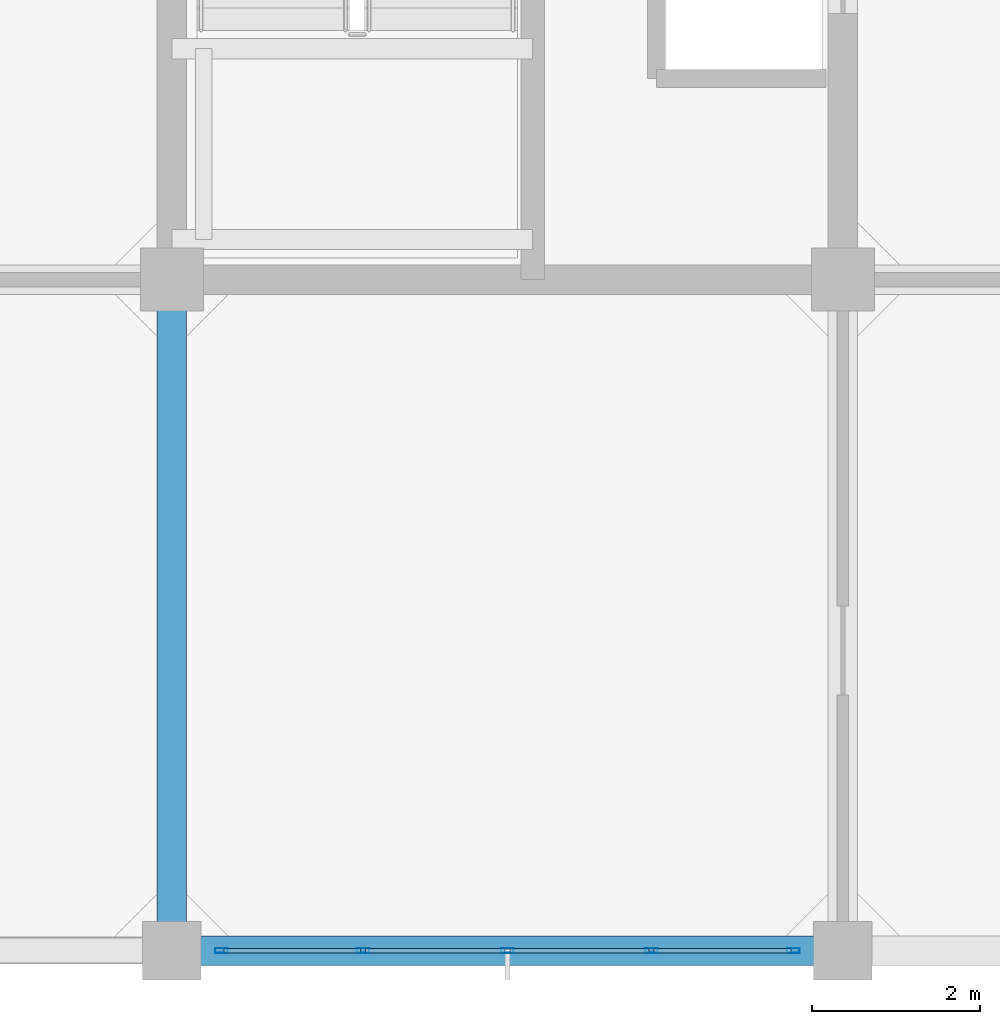
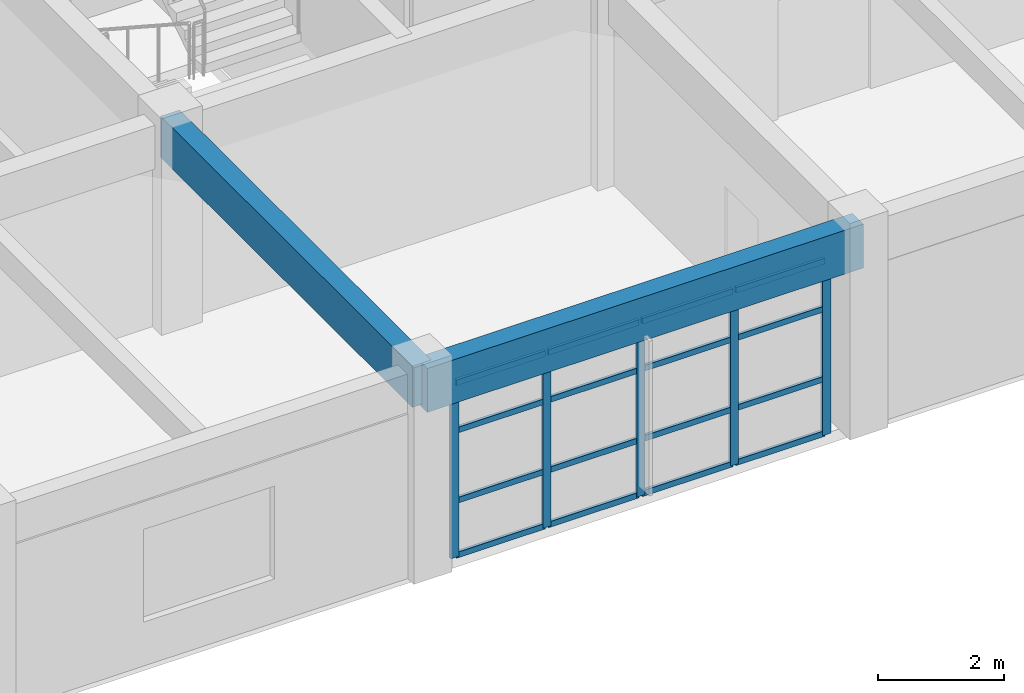
# One storey, part 6 of 27: 21 members, 2 beams, 1 element without a shape of its own.
"""IFC4 building model written with IfcOpenShell, lengths in metres."""

import ifcopenshell
import ifcopenshell.guid

model = None  # the IFC model being written
_history = None  # IfcOwnerHistory: only IFC2X3 demands one
_inside = {}  # id of a spatial element -> (the spatial element, [elements in it])
_under = {}  # id of a project, library or spatial element -> (it, [spatial elements below it])
_declared = {}  # id of a project -> (the project, [libraries it declares])
_typed = {}  # id of a type object -> (the type object, [elements of that type])
_made_of = {}  # id of a material, layer set ... -> (it, [elements and type objects made of it])


def new_model(schema):
    """Start an empty IFC model of exactly this schema.

    Asked for "IFC4X3", IfcOpenShell would pick the latest addendum, in which some entities
    have other attributes; the version numbers below select the first issue.
    IFC2X3 requires an IfcOwnerHistory on every rooted entity: one is made here for all.
    """
    global model, _history
    if schema == "IFC4X3":
        model = ifcopenshell.file(schema_version=(4, 3, 0, 0))
    else:
        model = ifcopenshell.file(schema=schema)
    _inside.clear()
    _under.clear()
    _declared.clear()
    _typed.clear()
    _made_of.clear()
    _history = None
    if model.schema == "IFC2X3":
        org = make("IfcOrganization", Name="unknown")
        user = make(
            "IfcPersonAndOrganization",
            ThePerson=make("IfcPerson", FamilyName="unknown"),
            TheOrganization=org,
        )
        app = make(
            "IfcApplication",
            ApplicationDeveloper=org,
            Version="unknown",
            ApplicationFullName="unknown",
            ApplicationIdentifier="unknown",
        )
        _history = make(
            "IfcOwnerHistory",
            OwningUser=user,
            OwningApplication=app,
            ChangeAction="ADDED",
            CreationDate=0,
        )
    return model


def make(cls, **values):
    """One entity of the class cls with the attributes given. An attribute that is None is left unset."""
    return model.create_entity(
        cls, **{name: value for name, value in values.items() if value is not None}
    )


def rooted(cls, **values):
    """An entity with a GlobalId (a new one), such as an element, a storey or a relation."""
    return make(cls, GlobalId=ifcopenshell.guid.new(), OwnerHistory=_history, **values)


def si_unit(unit_type, name, prefix=None):
    """IfcSIUnit, for example si_unit("LENGTHUNIT", "METRE", prefix="MILLI")."""
    return make("IfcSIUnit", UnitType=unit_type, Prefix=prefix, Name=name)


def assignment(units):
    """IfcUnitAssignment: the units of a project."""
    return None if units is None else make("IfcUnitAssignment", Units=units)


def point(xyz):
    """IfcCartesianPoint."""
    return None if xyz is None else make("IfcCartesianPoint", Coordinates=xyz)


def direction(xyz):
    """IfcDirection."""
    return None if xyz is None else make("IfcDirection", DirectionRatios=xyz)


def frame(location, z_axis=None, x_axis=None):
    """IfcAxis2Placement3D, a coordinate frame: its origin and axes. An axis left out is left unset."""
    return make(
        "IfcAxis2Placement3D",
        Location=point(location),
        Axis=direction(z_axis),
        RefDirection=direction(x_axis),
    )


def frame_2d(location, x_axis=None):
    """IfcAxis2Placement2D, a coordinate frame in the plane: its origin and x axis."""
    return make(
        "IfcAxis2Placement2D", Location=point(location), RefDirection=direction(x_axis)
    )


def origin():
    """The frame at (0, 0, 0) with its axes left unset."""
    return frame((0.0, 0.0, 0.0))


def origin_2d():
    """The frame at (0, 0) in the plane with its x axis left unset."""
    return frame_2d((0.0, 0.0))


def place(relative_to, where):
    """IfcLocalPlacement: puts the frame where relative to a parent placement (None: the world)."""
    return make(
        "IfcLocalPlacement", PlacementRelTo=relative_to, RelativePlacement=where
    )


def context(
    kind, dimensions, precision=None, world=None, true_north=None, identifier=None
):
    """IfcGeometricRepresentationContext, for example the 3D "Model" context."""
    return make(
        "IfcGeometricRepresentationContext",
        ContextIdentifier=identifier,
        ContextType=kind,
        CoordinateSpaceDimension=dimensions,
        Precision=precision,
        WorldCoordinateSystem=world,
        TrueNorth=true_north,
    )


def subcontext(parent, identifier, kind, view, scale=None):
    """IfcGeometricRepresentationSubContext, for example "Body" below "Model"."""
    return make(
        "IfcGeometricRepresentationSubContext",
        ContextIdentifier=identifier,
        ContextType=kind,
        ParentContext=parent,
        TargetScale=scale,
        TargetView=view,
    )


def project(units=None, contexts=None):
    """IfcProject with its units and contexts."""
    return rooted(
        "IfcProject",
        Name="project",
        RepresentationContexts=contexts,
        UnitsInContext=assignment(units),
    )


def spatial(cls, under=None, at=None, **own):
    """A site, building, storey or space (cls), placed at a placement, below another one or the project."""
    s = rooted(cls, ObjectPlacement=at, **own)
    if under is not None:
        _under.setdefault(under.id(), (under, []))[1].append(s)
    return s


def profile(cls, at=None, kind="AREA", **sizes):
    """A parametric profile (cls). Its sizes go by their IFC names, for example OverallWidth=200.0."""
    return make(cls, ProfileType=kind, Position=at, **sizes)


def rectangle(**sizes):
    """IfcRectangleProfileDef."""
    return profile("IfcRectangleProfileDef", **sizes)


def hollow_rectangle(**sizes):
    """IfcRectangleHollowProfileDef."""
    return profile("IfcRectangleHollowProfileDef", **sizes)


def extrude(swept, where, along, depth):
    """IfcExtrudedAreaSolid: the profile swept, set in the frame where, extruded along a direction by depth."""
    return make(
        "IfcExtrudedAreaSolid",
        SweptArea=swept,
        Position=where,
        ExtrudedDirection=direction(along),
        Depth=depth,
    )


def shape(context_of_items, identifier, shape_type, items):
    """IfcShapeRepresentation: the items that make up one representation, for example the "Body"."""
    return make(
        "IfcShapeRepresentation",
        ContextOfItems=context_of_items,
        RepresentationIdentifier=identifier,
        RepresentationType=shape_type,
        Items=items,
    )


def material(Name=None, Category=None):
    """IfcMaterial."""
    return make("IfcMaterial", Name=Name, Category=Category)


def layer(
    of_material, thickness, ventilated=None, Name=None, Category=None, Priority=None
):
    """IfcMaterialLayer: one layer of a wall or slab, of a material (None: an air gap)."""
    return make(
        "IfcMaterialLayer",
        Material=of_material,
        LayerThickness=thickness,
        IsVentilated=ventilated,
        Name=Name,
        Category=Category,
        Priority=Priority,
    )


def layer_set(layers, Name=None):
    """IfcMaterialLayerSet."""
    return make("IfcMaterialLayerSet", MaterialLayers=layers, LayerSetName=Name)


def material_profile(
    of_material, cross_section, Name=None, Category=None, Priority=None
):
    """IfcMaterialProfile: a cross section and its material."""
    return make(
        "IfcMaterialProfile",
        Name=Name,
        Material=of_material,
        Profile=cross_section,
        Priority=Priority,
        Category=Category,
    )


def profile_set(profiles, Name=None, composite=None):
    """IfcMaterialProfileSet."""
    return make(
        "IfcMaterialProfileSet",
        Name=Name,
        MaterialProfiles=profiles,
        CompositeProfile=composite,
    )


def made_of(thing, what):
    """Note that an element or type object is made of a material, layer set ...; save() writes the relation."""
    if what is not None:
        _made_of.setdefault(what.id(), (what, []))[1].append(thing)
    return thing


def type_object(cls, material=None, **own):
    """A type object (cls), such as IfcWallType, which elements share."""
    return made_of(rooted(cls, **own), material)


def element(
    cls,
    number,
    at=None,
    inside=None,
    cuts=None,
    type_object=None,
    material=None,
    context=None,
    identifier="Body",
    shape_type=None,
    held_by="IfcProductDefinitionShape",
    body=None,
    shapes=None,
    **own,
):
    """One element of the class cls, such as IfcWall. Its Tag is "e" and its number.

    at: its placement. inside: the storey or other place that contains it. cuts: it is an
    opening in that element (IfcRelVoidsElement). A single representation is given by context,
    identifier, shape_type and body (its items); several are given by shapes. held_by: the class
    of the entity that holds the representations. save() writes the other relations.
    """
    e = rooted(cls, Tag="e%d" % number, ObjectPlacement=at, **own)
    if body is not None:
        shapes = [shape(context, identifier, shape_type, body)]
    if shapes is not None:
        e.Representation = make(held_by, Representations=shapes)
    if inside is not None:
        _inside.setdefault(inside.id(), (inside, []))[1].append(e)
    if cuts is not None:
        rooted(
            "IfcRelVoidsElement", RelatingBuildingElement=cuts, RelatedOpeningElement=e
        )
    if type_object is not None:
        _typed.setdefault(type_object.id(), (type_object, []))[1].append(e)
    return made_of(e, material)


def aggregate(whole, parts):
    """IfcRelAggregates: a whole, such as a stair, and the parts it consists of."""
    return rooted("IfcRelAggregates", RelatingObject=whole, RelatedObjects=parts)


def save(model, path):
    """Write the relations noted so far, then the file.

    IfcRelAggregates (storeys below a building ...), IfcRelContainedInSpatialStructure (elements
    in a storey), IfcRelDefinesByType, IfcRelAssociatesMaterial and IfcRelDeclares: one each for
    every whole, place, type object, material and project.
    """
    for whole, parts in _under.values():
        aggregate(whole, parts)
    for where, things in _inside.values():
        rooted(
            "IfcRelContainedInSpatialStructure",
            RelatedElements=things,
            RelatingStructure=where,
        )
    for kind, things in _typed.values():
        rooted("IfcRelDefinesByType", RelatedObjects=things, RelatingType=kind)
    for what, things in _made_of.values():
        rooted("IfcRelAssociatesMaterial", RelatedObjects=things, RelatingMaterial=what)
    for by, libraries in _declared.values():
        rooted("IfcRelDeclares", RelatingContext=by, RelatedDefinitions=libraries)
    model.write(path)


model = new_model("IFC4")

# Units and contexts
model_context = context("Model", 3, precision=1e-05, world=origin(), true_north=direction((0.0, 1.0)))
body_context = subcontext(model_context, "Body", "Model", "MODEL_VIEW")
ifc_project = project(units=[si_unit("LENGTHUNIT", "METRE"), si_unit("AREAUNIT", "SQUARE_METRE"), si_unit("VOLUMEUNIT", "CUBIC_METRE"), si_unit("PLANEANGLEUNIT", "RADIAN"), si_unit("MASSUNIT", "GRAM", prefix="KILO")], contexts=[model_context])

# Site, building, storey
site_placement = place(None, origin())
site = spatial("IfcSite", under=ifc_project, at=site_placement, CompositionType="ELEMENT")
building_placement = place(site_placement, origin())
building = spatial("IfcBuilding", under=site, at=building_placement, Name="Canggui Botanical Conservatory", CompositionType="ELEMENT")
storey_placement = place(building_placement, frame((0.0, 0.0, 36.0)))
storey = spatial("IfcBuildingStorey", under=building, at=storey_placement, Name="L09", CompositionType="ELEMENT", Elevation=36.0)

# Beams
ifc_material_1 = material(Name="Concrete C35", Category="concrete")
ifc_material_profile_1 = material_profile(ifc_material_1, rectangle(XDim=0.35009765625, YDim=0.85009765625, at=origin_2d()), Name="RB 350x850")
ifc_profile_set_1 = profile_set([ifc_material_profile_1], Name="Concrete C35")
beam_type_1 = type_object("IfcBeamType", Name="BM-KL14", PredefinedType="BEAM", material=ifc_profile_set_1)
beam_1_placement = place(storey_placement, frame((154.0, 34.0, 3.534912109375), z_axis=(1.0, 0.0, 0.0), x_axis=(0.0, 1.0, 0.0)))
element("IfcBeam", 1, at=beam_1_placement, inside=storey, type_object=beam_type_1, Name="Frame Girder L09 Y34-2", PredefinedType="BEAM", context=body_context, shape_type="SweptSolid", body=[
    extrude(rectangle(XDim=0.35009765625, YDim=0.85009765625, at=origin_2d()), origin(), (0.0, 0.0, 1.0), 8.0),
])
ifc_material_profile_2 = material_profile(ifc_material_1, rectangle(XDim=0.35009765625, YDim=0.800048828125, at=origin_2d()), Name="RB 350x800")
ifc_profile_set_2 = profile_set([ifc_material_profile_2], Name="Concrete C35")
beam_type_2 = type_object("IfcBeamType", Name="BM-KL15", PredefinedType="BEAM", material=ifc_profile_set_2)
beam_2_placement = place(storey_placement, frame((154.0, 34.0, 3.56005859375), z_axis=(0.0, 1.0, 0.0), x_axis=(-1.0, 0.0, 0.0)))
element("IfcBeam", 2, at=beam_2_placement, inside=storey, type_object=beam_type_2, Name="Frame Girder L09 X154-1", PredefinedType="BEAM", context=body_context, shape_type="SweptSolid", body=[
    extrude(rectangle(XDim=0.35009765625, YDim=0.800048828125, at=origin_2d()), origin(), (0.0, 0.0, 1.0), 8.0),
])

# Curtain wall, members
ifc_material_2 = material(Name="Thermally Broken Aluminium", Category="aluminium")
ifc_layer = layer(ifc_material_2, 0.14990234375, Name="Thermally Broken Aluminium", Category="aluminium")
ifc_layer_set = layer_set([ifc_layer], Name="Thermally Broken Aluminium")
curtain_wall_type = type_object("IfcCurtainWallType", Name="CW-UNIT-C", PredefinedType="USERDEFINED", material=ifc_layer_set)
curtain_wall_placement = place(storey_placement, origin())
curtain_wall = element("IfcCurtainWall", 3, at=curtain_wall_placement, inside=storey, type_object=curtain_wall_type, Name="Facade Curtain Wall CW-TWR-L09-03", ObjectType="UNITISED CURTAIN WALL", PredefinedType="USERDEFINED")
ifc_material_profile_3 = material_profile(ifc_material_2, hollow_rectangle(XDim=0.06005859375, YDim=0.14990234375, WallThickness=0.00341796875, at=origin_2d()), Name="CWM 60x150x3.5")
ifc_profile_set_3 = profile_set([ifc_material_profile_3], Name="Thermally Broken Aluminium")
member_type_1 = type_object("IfcMemberType", Name="CWM-03", PredefinedType="MULLION", material=ifc_profile_set_3)
member_1_placement = place(storey_placement, frame((161.409912109375, 34.0, 0.0), z_axis=(0.0, 0.0, 1.0), x_axis=(0.0, -1.0, 0.0)))
member_1 = element("IfcMember", 4, at=member_1_placement, type_object=member_type_1, Name="CW-03 mullion 1", PredefinedType="MULLION", context=body_context, shape_type="SweptSolid", body=[
    extrude(hollow_rectangle(XDim=0.06005859375, YDim=0.14990234375, WallThickness=0.00341796875, at=origin_2d()), origin(), (0.0, 0.0, 1.0), 3.39990234375),
])
member_2_placement = place(storey_placement, frame((159.719970703125, 34.0, 0.0), z_axis=(0.0, 0.0, 1.0), x_axis=(0.0, -1.0, 0.0)))
member_2 = element("IfcMember", 5, at=member_2_placement, type_object=member_type_1, Name="CW-03 mullion 2", PredefinedType="MULLION", context=body_context, shape_type="SweptSolid", body=[
    extrude(hollow_rectangle(XDim=0.06005859375, YDim=0.14990234375, WallThickness=0.00341796875, at=origin_2d()), origin(), (0.0, 0.0, 1.0), 3.39990234375),
])
member_3_placement = place(storey_placement, frame((158.0, 34.0, 0.0), z_axis=(0.0, 0.0, 1.0), x_axis=(0.0, -1.0, 0.0)))
member_3 = element("IfcMember", 6, at=member_3_placement, type_object=member_type_1, Name="CW-03 mullion 3", PredefinedType="MULLION", context=body_context, shape_type="SweptSolid", body=[
    extrude(hollow_rectangle(XDim=0.06005859375, YDim=0.14990234375, WallThickness=0.00341796875, at=origin_2d()), origin(), (0.0, 0.0, 1.0), 3.39990234375),
])
member_4_placement = place(storey_placement, frame((156.280029296875, 34.0, 0.0), z_axis=(0.0, 0.0, 1.0), x_axis=(0.0, -1.0, 0.0)))
member_4 = element("IfcMember", 7, at=member_4_placement, type_object=member_type_1, Name="CW-03 mullion 4", PredefinedType="MULLION", context=body_context, shape_type="SweptSolid", body=[
    extrude(hollow_rectangle(XDim=0.06005859375, YDim=0.14990234375, WallThickness=0.00341796875, at=origin_2d()), origin(), (0.0, 0.0, 1.0), 3.39990234375),
])
member_5_placement = place(storey_placement, frame((154.590087890625, 34.0, 0.0), z_axis=(0.0, 0.0, 1.0), x_axis=(0.0, -1.0, 0.0)))
member_5 = element("IfcMember", 8, at=member_5_placement, type_object=member_type_1, Name="CW-03 mullion 5", PredefinedType="MULLION", context=body_context, shape_type="SweptSolid", body=[
    extrude(hollow_rectangle(XDim=0.06005859375, YDim=0.14990234375, WallThickness=0.00341796875, at=origin_2d()), origin(), (0.0, 0.0, 1.0), 3.39990234375),
])
ifc_material_profile_4 = material_profile(ifc_material_2, hollow_rectangle(XDim=0.054931640625, YDim=0.110107421875, WallThickness=0.0029296875, at=origin_2d()), Name="CWT 55x110x3")
ifc_profile_set_4 = profile_set([ifc_material_profile_4], Name="Thermally Broken Aluminium")
member_type_2 = type_object("IfcMemberType", Name="CWT-03", PredefinedType="USERDEFINED", material=ifc_profile_set_4)
member_6_placement = place(storey_placement, frame((161.3798828125, 34.0, 0.027587890625), z_axis=(-1.0, 0.0, 0.0), x_axis=(0.0, -1.0, 0.0)))
member_6 = element("IfcMember", 9, at=member_6_placement, type_object=member_type_2, Name="CW-03 transom 1.1", ObjectType="TRANSOM", PredefinedType="USERDEFINED", context=body_context, shape_type="SweptSolid", body=[
    extrude(hollow_rectangle(XDim=0.054931640625, YDim=0.110107421875, WallThickness=0.0029296875, at=origin_2d()), origin(), (0.0, 0.0, 1.0), 1.6298828125),
])
member_7_placement = place(storey_placement, frame((161.3798828125, 34.0, 1.087890625), z_axis=(-1.0, 0.0, 0.0), x_axis=(0.0, -1.0, 0.0)))
member_7 = element("IfcMember", 10, at=member_7_placement, type_object=member_type_2, Name="CW-03 transom 1.2", ObjectType="TRANSOM", PredefinedType="USERDEFINED", context=body_context, shape_type="SweptSolid", body=[
    extrude(hollow_rectangle(XDim=0.054931640625, YDim=0.110107421875, WallThickness=0.0029296875, at=origin_2d()), origin(), (0.0, 0.0, 1.0), 1.6298828125),
])
member_8_placement = place(storey_placement, frame((161.3798828125, 34.0, 2.447998046875), z_axis=(-1.0, 0.0, 0.0), x_axis=(0.0, -1.0, 0.0)))
member_8 = element("IfcMember", 11, at=member_8_placement, type_object=member_type_2, Name="CW-03 transom 1.3", ObjectType="TRANSOM", PredefinedType="USERDEFINED", context=body_context, shape_type="SweptSolid", body=[
    extrude(hollow_rectangle(XDim=0.054931640625, YDim=0.110107421875, WallThickness=0.0029296875, at=origin_2d()), origin(), (0.0, 0.0, 1.0), 1.6298828125),
])
member_9_placement = place(storey_placement, frame((161.3798828125, 34.0, 3.37255859375), z_axis=(-1.0, 0.0, 0.0), x_axis=(0.0, -1.0, 0.0)))
member_9 = element("IfcMember", 12, at=member_9_placement, type_object=member_type_2, Name="CW-03 transom 1.4", ObjectType="TRANSOM", PredefinedType="USERDEFINED", context=body_context, shape_type="SweptSolid", body=[
    extrude(hollow_rectangle(XDim=0.054931640625, YDim=0.110107421875, WallThickness=0.0029296875, at=origin_2d()), origin(), (0.0, 0.0, 1.0), 1.6298828125),
])
member_10_placement = place(storey_placement, frame((159.68994140625, 34.0, 0.027587890625), z_axis=(-1.0, 0.0, 0.0), x_axis=(0.0, -1.0, 0.0)))
member_10 = element("IfcMember", 13, at=member_10_placement, type_object=member_type_2, Name="CW-03 transom 2.1", ObjectType="TRANSOM", PredefinedType="USERDEFINED", context=body_context, shape_type="SweptSolid", body=[
    extrude(hollow_rectangle(XDim=0.054931640625, YDim=0.110107421875, WallThickness=0.0029296875, at=origin_2d()), origin(), (0.0, 0.0, 1.0), 1.659912109375),
])
member_11_placement = place(storey_placement, frame((159.68994140625, 34.0, 1.087890625), z_axis=(-1.0, 0.0, 0.0), x_axis=(0.0, -1.0, 0.0)))
member_11 = element("IfcMember", 14, at=member_11_placement, type_object=member_type_2, Name="CW-03 transom 2.2", ObjectType="TRANSOM", PredefinedType="USERDEFINED", context=body_context, shape_type="SweptSolid", body=[
    extrude(hollow_rectangle(XDim=0.054931640625, YDim=0.110107421875, WallThickness=0.0029296875, at=origin_2d()), origin(), (0.0, 0.0, 1.0), 1.659912109375),
])
member_12_placement = place(storey_placement, frame((159.68994140625, 34.0, 2.447998046875), z_axis=(-1.0, 0.0, 0.0), x_axis=(0.0, -1.0, 0.0)))
member_12 = element("IfcMember", 15, at=member_12_placement, type_object=member_type_2, Name="CW-03 transom 2.3", ObjectType="TRANSOM", PredefinedType="USERDEFINED", context=body_context, shape_type="SweptSolid", body=[
    extrude(hollow_rectangle(XDim=0.054931640625, YDim=0.110107421875, WallThickness=0.0029296875, at=origin_2d()), origin(), (0.0, 0.0, 1.0), 1.659912109375),
])
member_13_placement = place(storey_placement, frame((159.68994140625, 34.0, 3.37255859375), z_axis=(-1.0, 0.0, 0.0), x_axis=(0.0, -1.0, 0.0)))
member_13 = element("IfcMember", 16, at=member_13_placement, type_object=member_type_2, Name="CW-03 transom 2.4", ObjectType="TRANSOM", PredefinedType="USERDEFINED", context=body_context, shape_type="SweptSolid", body=[
    extrude(hollow_rectangle(XDim=0.054931640625, YDim=0.110107421875, WallThickness=0.0029296875, at=origin_2d()), origin(), (0.0, 0.0, 1.0), 1.659912109375),
])
member_14_placement = place(storey_placement, frame((157.969970703125, 34.0, 0.027587890625), z_axis=(-1.0, 0.0, 0.0), x_axis=(0.0, -1.0, 0.0)))
member_14 = element("IfcMember", 17, at=member_14_placement, type_object=member_type_2, Name="CW-03 transom 3.1", ObjectType="TRANSOM", PredefinedType="USERDEFINED", context=body_context, shape_type="SweptSolid", body=[
    extrude(hollow_rectangle(XDim=0.054931640625, YDim=0.110107421875, WallThickness=0.0029296875, at=origin_2d()), origin(), (0.0, 0.0, 1.0), 1.659912109375),
])
member_15_placement = place(storey_placement, frame((157.969970703125, 34.0, 1.087890625), z_axis=(-1.0, 0.0, 0.0), x_axis=(0.0, -1.0, 0.0)))
member_15 = element("IfcMember", 18, at=member_15_placement, type_object=member_type_2, Name="CW-03 transom 3.2", ObjectType="TRANSOM", PredefinedType="USERDEFINED", context=body_context, shape_type="SweptSolid", body=[
    extrude(hollow_rectangle(XDim=0.054931640625, YDim=0.110107421875, WallThickness=0.0029296875, at=origin_2d()), origin(), (0.0, 0.0, 1.0), 1.659912109375),
])
member_16_placement = place(storey_placement, frame((157.969970703125, 34.0, 2.447998046875), z_axis=(-1.0, 0.0, 0.0), x_axis=(0.0, -1.0, 0.0)))
member_16 = element("IfcMember", 19, at=member_16_placement, type_object=member_type_2, Name="CW-03 transom 3.3", ObjectType="TRANSOM", PredefinedType="USERDEFINED", context=body_context, shape_type="SweptSolid", body=[
    extrude(hollow_rectangle(XDim=0.054931640625, YDim=0.110107421875, WallThickness=0.0029296875, at=origin_2d()), origin(), (0.0, 0.0, 1.0), 1.659912109375),
])
member_17_placement = place(storey_placement, frame((157.969970703125, 34.0, 3.37255859375), z_axis=(-1.0, 0.0, 0.0), x_axis=(0.0, -1.0, 0.0)))
member_17 = element("IfcMember", 20, at=member_17_placement, type_object=member_type_2, Name="CW-03 transom 3.4", ObjectType="TRANSOM", PredefinedType="USERDEFINED", context=body_context, shape_type="SweptSolid", body=[
    extrude(hollow_rectangle(XDim=0.054931640625, YDim=0.110107421875, WallThickness=0.0029296875, at=origin_2d()), origin(), (0.0, 0.0, 1.0), 1.659912109375),
])
member_18_placement = place(storey_placement, frame((156.25, 34.0, 0.027587890625), z_axis=(-1.0, 0.0, 0.0), x_axis=(0.0, -1.0, 0.0)))
member_18 = element("IfcMember", 21, at=member_18_placement, type_object=member_type_2, Name="CW-03 transom 4.1", ObjectType="TRANSOM", PredefinedType="USERDEFINED", context=body_context, shape_type="SweptSolid", body=[
    extrude(hollow_rectangle(XDim=0.054931640625, YDim=0.110107421875, WallThickness=0.0029296875, at=origin_2d()), origin(), (0.0, 0.0, 1.0), 1.6298828125),
])
member_19_placement = place(storey_placement, frame((156.25, 34.0, 1.087890625), z_axis=(-1.0, 0.0, 0.0), x_axis=(0.0, -1.0, 0.0)))
member_19 = element("IfcMember", 22, at=member_19_placement, type_object=member_type_2, Name="CW-03 transom 4.2", ObjectType="TRANSOM", PredefinedType="USERDEFINED", context=body_context, shape_type="SweptSolid", body=[
    extrude(hollow_rectangle(XDim=0.054931640625, YDim=0.110107421875, WallThickness=0.0029296875, at=origin_2d()), origin(), (0.0, 0.0, 1.0), 1.6298828125),
])
member_20_placement = place(storey_placement, frame((156.25, 34.0, 2.447998046875), z_axis=(-1.0, 0.0, 0.0), x_axis=(0.0, -1.0, 0.0)))
member_20 = element("IfcMember", 23, at=member_20_placement, type_object=member_type_2, Name="CW-03 transom 4.3", ObjectType="TRANSOM", PredefinedType="USERDEFINED", context=body_context, shape_type="SweptSolid", body=[
    extrude(hollow_rectangle(XDim=0.054931640625, YDim=0.110107421875, WallThickness=0.0029296875, at=origin_2d()), origin(), (0.0, 0.0, 1.0), 1.6298828125),
])
member_21_placement = place(storey_placement, frame((156.25, 34.0, 3.37255859375), z_axis=(-1.0, 0.0, 0.0), x_axis=(0.0, -1.0, 0.0)))
member_21 = element("IfcMember", 24, at=member_21_placement, type_object=member_type_2, Name="CW-03 transom 4.4", ObjectType="TRANSOM", PredefinedType="USERDEFINED", context=body_context, shape_type="SweptSolid", body=[
    extrude(hollow_rectangle(XDim=0.054931640625, YDim=0.110107421875, WallThickness=0.0029296875, at=origin_2d()), origin(), (0.0, 0.0, 1.0), 1.6298828125),
])
aggregate(curtain_wall, [member_1, member_2, member_3, member_4, member_5, member_6, member_7, member_8, member_9, member_10, member_11, member_12, member_13, member_14, member_15, member_16, member_17, member_18, member_19, member_20, member_21])

save(model, "model.ifc")
